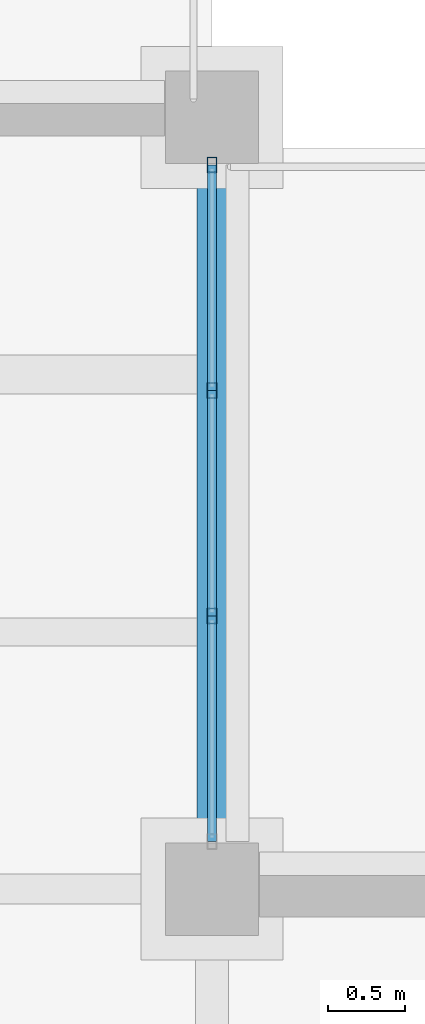
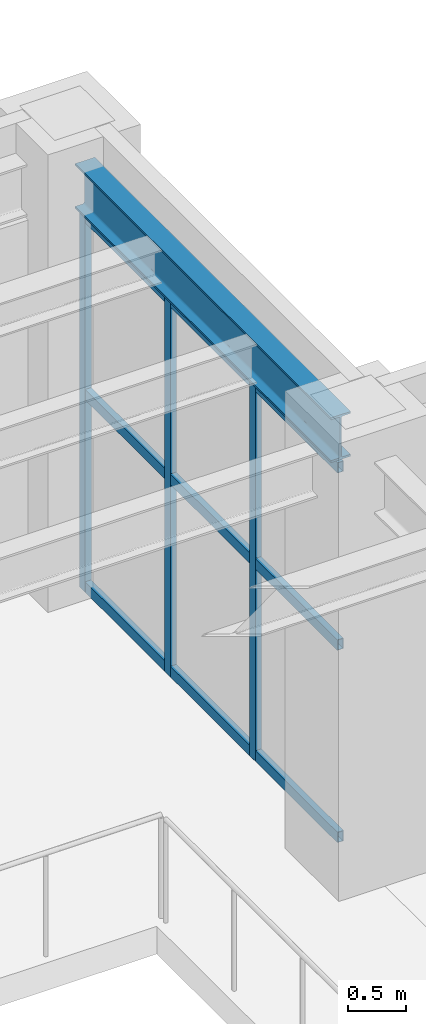
# One storey, part 44 of 83: 12 members, 1 beam, 1 element without a shape of its own.
"""IFC4 building model written with IfcOpenShell, lengths in metres."""

import ifcopenshell
import ifcopenshell.guid

model = None  # the IFC model being written
_history = None  # IfcOwnerHistory: only IFC2X3 demands one
_inside = {}  # id of a spatial element -> (the spatial element, [elements in it])
_under = {}  # id of a project, library or spatial element -> (it, [spatial elements below it])
_declared = {}  # id of a project -> (the project, [libraries it declares])
_typed = {}  # id of a type object -> (the type object, [elements of that type])
_made_of = {}  # id of a material, layer set ... -> (it, [elements and type objects made of it])


def new_model(schema):
    """Start an empty IFC model of exactly this schema.

    Asked for "IFC4X3", IfcOpenShell would pick the latest addendum, in which some entities
    have other attributes; the version numbers below select the first issue.
    IFC2X3 requires an IfcOwnerHistory on every rooted entity: one is made here for all.
    """
    global model, _history
    if schema == "IFC4X3":
        model = ifcopenshell.file(schema_version=(4, 3, 0, 0))
    else:
        model = ifcopenshell.file(schema=schema)
    _inside.clear()
    _under.clear()
    _declared.clear()
    _typed.clear()
    _made_of.clear()
    _history = None
    if model.schema == "IFC2X3":
        org = make("IfcOrganization", Name="unknown")
        user = make(
            "IfcPersonAndOrganization",
            ThePerson=make("IfcPerson", FamilyName="unknown"),
            TheOrganization=org,
        )
        app = make(
            "IfcApplication",
            ApplicationDeveloper=org,
            Version="unknown",
            ApplicationFullName="unknown",
            ApplicationIdentifier="unknown",
        )
        _history = make(
            "IfcOwnerHistory",
            OwningUser=user,
            OwningApplication=app,
            ChangeAction="ADDED",
            CreationDate=0,
        )
    return model


def make(cls, **values):
    """One entity of the class cls with the attributes given. An attribute that is None is left unset."""
    return model.create_entity(
        cls, **{name: value for name, value in values.items() if value is not None}
    )


def rooted(cls, **values):
    """An entity with a GlobalId (a new one), such as an element, a storey or a relation."""
    return make(cls, GlobalId=ifcopenshell.guid.new(), OwnerHistory=_history, **values)


def si_unit(unit_type, name, prefix=None):
    """IfcSIUnit, for example si_unit("LENGTHUNIT", "METRE", prefix="MILLI")."""
    return make("IfcSIUnit", UnitType=unit_type, Prefix=prefix, Name=name)


def assignment(units):
    """IfcUnitAssignment: the units of a project."""
    return None if units is None else make("IfcUnitAssignment", Units=units)


def point(xyz):
    """IfcCartesianPoint."""
    return None if xyz is None else make("IfcCartesianPoint", Coordinates=xyz)


def direction(xyz):
    """IfcDirection."""
    return None if xyz is None else make("IfcDirection", DirectionRatios=xyz)


def frame(location, z_axis=None, x_axis=None):
    """IfcAxis2Placement3D, a coordinate frame: its origin and axes. An axis left out is left unset."""
    return make(
        "IfcAxis2Placement3D",
        Location=point(location),
        Axis=direction(z_axis),
        RefDirection=direction(x_axis),
    )


def frame_2d(location, x_axis=None):
    """IfcAxis2Placement2D, a coordinate frame in the plane: its origin and x axis."""
    return make(
        "IfcAxis2Placement2D", Location=point(location), RefDirection=direction(x_axis)
    )


def origin():
    """The frame at (0, 0, 0) with its axes left unset."""
    return frame((0.0, 0.0, 0.0))


def origin_2d():
    """The frame at (0, 0) in the plane with its x axis left unset."""
    return frame_2d((0.0, 0.0))


def place(relative_to, where):
    """IfcLocalPlacement: puts the frame where relative to a parent placement (None: the world)."""
    return make(
        "IfcLocalPlacement", PlacementRelTo=relative_to, RelativePlacement=where
    )


def context(
    kind, dimensions, precision=None, world=None, true_north=None, identifier=None
):
    """IfcGeometricRepresentationContext, for example the 3D "Model" context."""
    return make(
        "IfcGeometricRepresentationContext",
        ContextIdentifier=identifier,
        ContextType=kind,
        CoordinateSpaceDimension=dimensions,
        Precision=precision,
        WorldCoordinateSystem=world,
        TrueNorth=true_north,
    )


def subcontext(parent, identifier, kind, view, scale=None):
    """IfcGeometricRepresentationSubContext, for example "Body" below "Model"."""
    return make(
        "IfcGeometricRepresentationSubContext",
        ContextIdentifier=identifier,
        ContextType=kind,
        ParentContext=parent,
        TargetScale=scale,
        TargetView=view,
    )


def project(units=None, contexts=None):
    """IfcProject with its units and contexts."""
    return rooted(
        "IfcProject",
        Name="project",
        RepresentationContexts=contexts,
        UnitsInContext=assignment(units),
    )


def spatial(cls, under=None, at=None, **own):
    """A site, building, storey or space (cls), placed at a placement, below another one or the project."""
    s = rooted(cls, ObjectPlacement=at, **own)
    if under is not None:
        _under.setdefault(under.id(), (under, []))[1].append(s)
    return s


def profile(cls, at=None, kind="AREA", **sizes):
    """A parametric profile (cls). Its sizes go by their IFC names, for example OverallWidth=200.0."""
    return make(cls, ProfileType=kind, Position=at, **sizes)


def hollow_rectangle(**sizes):
    """IfcRectangleHollowProfileDef."""
    return profile("IfcRectangleHollowProfileDef", **sizes)


def i_section(**sizes):
    """IfcIShapeProfileDef."""
    return profile("IfcIShapeProfileDef", **sizes)


def extrude(swept, where, along, depth):
    """IfcExtrudedAreaSolid: the profile swept, set in the frame where, extruded along a direction by depth."""
    return make(
        "IfcExtrudedAreaSolid",
        SweptArea=swept,
        Position=where,
        ExtrudedDirection=direction(along),
        Depth=depth,
    )


def shape(context_of_items, identifier, shape_type, items):
    """IfcShapeRepresentation: the items that make up one representation, for example the "Body"."""
    return make(
        "IfcShapeRepresentation",
        ContextOfItems=context_of_items,
        RepresentationIdentifier=identifier,
        RepresentationType=shape_type,
        Items=items,
    )


def material(Name=None, Category=None):
    """IfcMaterial."""
    return make("IfcMaterial", Name=Name, Category=Category)


def material_profile(
    of_material, cross_section, Name=None, Category=None, Priority=None
):
    """IfcMaterialProfile: a cross section and its material."""
    return make(
        "IfcMaterialProfile",
        Name=Name,
        Material=of_material,
        Profile=cross_section,
        Priority=Priority,
        Category=Category,
    )


def profile_set(profiles, Name=None, composite=None):
    """IfcMaterialProfileSet."""
    return make(
        "IfcMaterialProfileSet",
        Name=Name,
        MaterialProfiles=profiles,
        CompositeProfile=composite,
    )


def made_of(thing, what):
    """Note that an element or type object is made of a material, layer set ...; save() writes the relation."""
    if what is not None:
        _made_of.setdefault(what.id(), (what, []))[1].append(thing)
    return thing


def type_object(cls, material=None, **own):
    """A type object (cls), such as IfcWallType, which elements share."""
    return made_of(rooted(cls, **own), material)


def element(
    cls,
    number,
    at=None,
    inside=None,
    cuts=None,
    type_object=None,
    material=None,
    context=None,
    identifier="Body",
    shape_type=None,
    held_by="IfcProductDefinitionShape",
    body=None,
    shapes=None,
    **own,
):
    """One element of the class cls, such as IfcWall. Its Tag is "e" and its number.

    at: its placement. inside: the storey or other place that contains it. cuts: it is an
    opening in that element (IfcRelVoidsElement). A single representation is given by context,
    identifier, shape_type and body (its items); several are given by shapes. held_by: the class
    of the entity that holds the representations. save() writes the other relations.
    """
    e = rooted(cls, Tag="e%d" % number, ObjectPlacement=at, **own)
    if body is not None:
        shapes = [shape(context, identifier, shape_type, body)]
    if shapes is not None:
        e.Representation = make(held_by, Representations=shapes)
    if inside is not None:
        _inside.setdefault(inside.id(), (inside, []))[1].append(e)
    if cuts is not None:
        rooted(
            "IfcRelVoidsElement", RelatingBuildingElement=cuts, RelatedOpeningElement=e
        )
    if type_object is not None:
        _typed.setdefault(type_object.id(), (type_object, []))[1].append(e)
    return made_of(e, material)


def aggregate(whole, parts):
    """IfcRelAggregates: a whole, such as a stair, and the parts it consists of."""
    return rooted("IfcRelAggregates", RelatingObject=whole, RelatedObjects=parts)


def save(model, path):
    """Write the relations noted so far, then the file.

    IfcRelAggregates (storeys below a building ...), IfcRelContainedInSpatialStructure (elements
    in a storey), IfcRelDefinesByType, IfcRelAssociatesMaterial and IfcRelDeclares: one each for
    every whole, place, type object, material and project.
    """
    for whole, parts in _under.values():
        aggregate(whole, parts)
    for where, things in _inside.values():
        rooted(
            "IfcRelContainedInSpatialStructure",
            RelatedElements=things,
            RelatingStructure=where,
        )
    for kind, things in _typed.values():
        rooted("IfcRelDefinesByType", RelatedObjects=things, RelatingType=kind)
    for what, things in _made_of.values():
        rooted("IfcRelAssociatesMaterial", RelatedObjects=things, RelatingMaterial=what)
    for by, libraries in _declared.values():
        rooted("IfcRelDeclares", RelatingContext=by, RelatedDefinitions=libraries)
    model.write(path)


model = new_model("IFC4")

# Units and contexts
model_context = context("Model", 3, precision=1e-05, world=origin(), true_north=direction((0.0, 1.0)))
body_context = subcontext(model_context, "Body", "Model", "MODEL_VIEW")
ifc_project = project(units=[si_unit("LENGTHUNIT", "METRE"), si_unit("AREAUNIT", "SQUARE_METRE"), si_unit("VOLUMEUNIT", "CUBIC_METRE"), si_unit("PLANEANGLEUNIT", "RADIAN"), si_unit("MASSUNIT", "GRAM", prefix="KILO")], contexts=[model_context])

# Site, building, storey
site_placement = place(None, origin())
site = spatial("IfcSite", under=ifc_project, at=site_placement, CompositionType="ELEMENT")
building_placement = place(site_placement, origin())
building = spatial("IfcBuilding", under=site, at=building_placement, Name="Mavantir Sound Aquarium", CompositionType="ELEMENT")
storey_placement = place(building_placement, frame((0.0, 0.0, 10.5)))
storey = spatial("IfcBuildingStorey", under=building, at=storey_placement, Name="L02", CompositionType="ELEMENT", Elevation=10.5)

# Beam
ifc_material_1 = material(Name="Structural Steel ASTM A992 Gr50", Category="steel")
ifc_material_profile_1 = material_profile(ifc_material_1, i_section(OverallWidth=0.194091796875, OverallDepth=0.468994140625, WebThickness=0.0126953125, FlangeThickness=0.0205078125, FilletRadius=0.01611328125, at=origin_2d()), Name="W460X106")
ifc_profile_set_1 = profile_set([ifc_material_profile_1], Name="Structural Steel ASTM A992 Gr50")
beam_type = type_object("IfcBeamType", Name="BM-W460X106-I", PredefinedType="BEAM", material=ifc_profile_set_1)
beam_placement = place(storey_placement, frame((146.39990234375, 71.10009765625, 4.25146484375), z_axis=(0.0, 1.0, 0.0), x_axis=(-1.0, 0.0, 0.0)))
element("IfcBeam", 1, at=beam_placement, inside=storey, type_object=beam_type, Name="L02 primary girder SB-46 1590", PredefinedType="BEAM", context=body_context, shape_type="SweptSolid", body=[
    extrude(i_section(OverallWidth=0.194091796875, OverallDepth=0.468994140625, WebThickness=0.0126953125, FlangeThickness=0.0205078125, FilletRadius=0.01611328125, at=origin_2d()), origin(), (0.0, 0.0, 1.0), 4.39990234375),
])

# Curtain wall, members
ifc_material_2 = material(Name="Anodised Marine Aluminium and Low-E Glass", Category="aluminium")
curtain_wall_type = type_object("IfcCurtainWallType", Name="CW-T09", PredefinedType="USERDEFINED", material=ifc_material_2)
curtain_wall_placement = place(storey_placement, origin())
curtain_wall = element("IfcCurtainWall", 2, at=curtain_wall_placement, inside=storey, type_object=curtain_wall_type, Name="L02 unitised curtain wall CW-09 129", ObjectType="UNITISED GLAZING", PredefinedType="USERDEFINED")
ifc_material_3 = material(Name="Anodised Marine Aluminium 6063-T6", Category="aluminium")
ifc_material_profile_2 = material_profile(ifc_material_3, hollow_rectangle(XDim=0.06005859375, YDim=0.10009765625, WallThickness=0.00390625, at=origin_2d()), Name="ALU-MULLION-100X60")
ifc_profile_set_2 = profile_set([ifc_material_profile_2], Name="Anodised Marine Aluminium 6063-T6")
member_type_1 = type_object("IfcMemberType", Name="CW-MUL-100", PredefinedType="MULLION", material=ifc_profile_set_2)
member_1_placement = place(storey_placement, frame((146.39990234375, 72.5693359375, 0.0), z_axis=(0.0, 0.0, 1.0), x_axis=(1.0, 0.0, 0.0)))
member_1 = element("IfcMember", 3, at=member_1_placement, type_object=member_type_1, Name="CW-L02-129 vertical mullion 2", PredefinedType="MULLION", context=body_context, shape_type="SweptSolid", body=[
    extrude(hollow_rectangle(XDim=0.06005859375, YDim=0.10009765625, WallThickness=0.00390625, at=origin_2d()), origin(), (0.0, 0.0, 1.0), 3.987060546875),
])
member_2_placement = place(storey_placement, frame((146.39990234375, 74.03076171875, 0.0), z_axis=(0.0, 0.0, 1.0), x_axis=(1.0, 0.0, 0.0)))
member_2 = element("IfcMember", 4, at=member_2_placement, type_object=member_type_1, Name="CW-L02-129 vertical mullion 3", PredefinedType="MULLION", context=body_context, shape_type="SweptSolid", body=[
    extrude(hollow_rectangle(XDim=0.06005859375, YDim=0.10009765625, WallThickness=0.00390625, at=origin_2d()), origin(), (0.0, 0.0, 1.0), 3.987060546875),
])
member_3_placement = place(storey_placement, frame((146.39990234375, 75.491943359375, 0.0), z_axis=(0.0, 0.0, 1.0), x_axis=(1.0, 0.0, 0.0)))
member_3 = element("IfcMember", 5, at=member_3_placement, type_object=member_type_1, Name="CW-L02-129 vertical mullion 4", PredefinedType="MULLION", context=body_context, shape_type="SweptSolid", body=[
    extrude(hollow_rectangle(XDim=0.06005859375, YDim=0.10009765625, WallThickness=0.00390625, at=origin_2d()), origin(), (0.0, 0.0, 1.0), 3.987060546875),
])
ifc_material_profile_3 = material_profile(ifc_material_3, hollow_rectangle(XDim=0.06005859375, YDim=0.110107421875, WallThickness=0.00390625, at=origin_2d()), Name="ALU-TRANSOM-110X60")
ifc_profile_set_3 = profile_set([ifc_material_profile_3], Name="Anodised Marine Aluminium 6063-T6")
member_type_2 = type_object("IfcMemberType", Name="CW-TRN-110", PredefinedType="USERDEFINED", material=ifc_profile_set_3)
member_4_placement = place(storey_placement, frame((146.39990234375, 71.10791015625, 0.054931640625), z_axis=(0.0, 1.0, 0.0), x_axis=(-1.0, 0.0, 0.0)))
member_4 = element("IfcMember", 6, at=member_4_placement, type_object=member_type_2, Name="CW-L02-129 transom 1.1", ObjectType="TRANSOM", PredefinedType="USERDEFINED", context=body_context, shape_type="SweptSolid", body=[
    extrude(hollow_rectangle(XDim=0.06005859375, YDim=0.110107421875, WallThickness=0.00390625, at=origin_2d()), origin(), (0.0, 0.0, 1.0), 1.46142578125),
])
member_5_placement = place(storey_placement, frame((146.39990234375, 71.10791015625, 2.0732421875), z_axis=(0.0, 1.0, 0.0), x_axis=(-1.0, 0.0, 0.0)))
member_5 = element("IfcMember", 7, at=member_5_placement, type_object=member_type_2, Name="CW-L02-129 transom 1.2", ObjectType="TRANSOM", PredefinedType="USERDEFINED", context=body_context, shape_type="SweptSolid", body=[
    extrude(hollow_rectangle(XDim=0.06005859375, YDim=0.110107421875, WallThickness=0.00390625, at=origin_2d()), origin(), (0.0, 0.0, 1.0), 1.46142578125),
])
member_6_placement = place(storey_placement, frame((146.39990234375, 71.10791015625, 3.931884765625), z_axis=(0.0, 1.0, 0.0), x_axis=(-1.0, 0.0, 0.0)))
member_6 = element("IfcMember", 8, at=member_6_placement, type_object=member_type_2, Name="CW-L02-129 transom 1.3", ObjectType="TRANSOM", PredefinedType="USERDEFINED", context=body_context, shape_type="SweptSolid", body=[
    extrude(hollow_rectangle(XDim=0.06005859375, YDim=0.110107421875, WallThickness=0.00390625, at=origin_2d()), origin(), (0.0, 0.0, 1.0), 1.46142578125),
])
member_7_placement = place(storey_placement, frame((146.39990234375, 72.5693359375, 0.054931640625), z_axis=(0.0, 1.0, 0.0), x_axis=(-1.0, 0.0, 0.0)))
member_7 = element("IfcMember", 9, at=member_7_placement, type_object=member_type_2, Name="CW-L02-129 transom 2.1", ObjectType="TRANSOM", PredefinedType="USERDEFINED", context=body_context, shape_type="SweptSolid", body=[
    extrude(hollow_rectangle(XDim=0.06005859375, YDim=0.110107421875, WallThickness=0.00390625, at=origin_2d()), origin(), (0.0, 0.0, 1.0), 1.46142578125),
])
member_8_placement = place(storey_placement, frame((146.39990234375, 72.5693359375, 2.0732421875), z_axis=(0.0, 1.0, 0.0), x_axis=(-1.0, 0.0, 0.0)))
member_8 = element("IfcMember", 10, at=member_8_placement, type_object=member_type_2, Name="CW-L02-129 transom 2.2", ObjectType="TRANSOM", PredefinedType="USERDEFINED", context=body_context, shape_type="SweptSolid", body=[
    extrude(hollow_rectangle(XDim=0.06005859375, YDim=0.110107421875, WallThickness=0.00390625, at=origin_2d()), origin(), (0.0, 0.0, 1.0), 1.46142578125),
])
member_9_placement = place(storey_placement, frame((146.39990234375, 72.5693359375, 3.931884765625), z_axis=(0.0, 1.0, 0.0), x_axis=(-1.0, 0.0, 0.0)))
member_9 = element("IfcMember", 11, at=member_9_placement, type_object=member_type_2, Name="CW-L02-129 transom 2.3", ObjectType="TRANSOM", PredefinedType="USERDEFINED", context=body_context, shape_type="SweptSolid", body=[
    extrude(hollow_rectangle(XDim=0.06005859375, YDim=0.110107421875, WallThickness=0.00390625, at=origin_2d()), origin(), (0.0, 0.0, 1.0), 1.46142578125),
])
member_10_placement = place(storey_placement, frame((146.39990234375, 74.03076171875, 0.054931640625), z_axis=(0.0, 1.0, 0.0), x_axis=(-1.0, 0.0, 0.0)))
member_10 = element("IfcMember", 12, at=member_10_placement, type_object=member_type_2, Name="CW-L02-129 transom 3.1", ObjectType="TRANSOM", PredefinedType="USERDEFINED", context=body_context, shape_type="SweptSolid", body=[
    extrude(hollow_rectangle(XDim=0.06005859375, YDim=0.110107421875, WallThickness=0.00390625, at=origin_2d()), origin(), (0.0, 0.0, 1.0), 1.461181640625),
])
member_11_placement = place(storey_placement, frame((146.39990234375, 74.03076171875, 2.0732421875), z_axis=(0.0, 1.0, 0.0), x_axis=(-1.0, 0.0, 0.0)))
member_11 = element("IfcMember", 13, at=member_11_placement, type_object=member_type_2, Name="CW-L02-129 transom 3.2", ObjectType="TRANSOM", PredefinedType="USERDEFINED", context=body_context, shape_type="SweptSolid", body=[
    extrude(hollow_rectangle(XDim=0.06005859375, YDim=0.110107421875, WallThickness=0.00390625, at=origin_2d()), origin(), (0.0, 0.0, 1.0), 1.461181640625),
])
member_12_placement = place(storey_placement, frame((146.39990234375, 74.03076171875, 3.931884765625), z_axis=(0.0, 1.0, 0.0), x_axis=(-1.0, 0.0, 0.0)))
member_12 = element("IfcMember", 14, at=member_12_placement, type_object=member_type_2, Name="CW-L02-129 transom 3.3", ObjectType="TRANSOM", PredefinedType="USERDEFINED", context=body_context, shape_type="SweptSolid", body=[
    extrude(hollow_rectangle(XDim=0.06005859375, YDim=0.110107421875, WallThickness=0.00390625, at=origin_2d()), origin(), (0.0, 0.0, 1.0), 1.461181640625),
])
aggregate(curtain_wall, [member_1, member_2, member_3, member_4, member_5, member_6, member_7, member_8, member_9, member_10, member_11, member_12])

save(model, "model.ifc")
